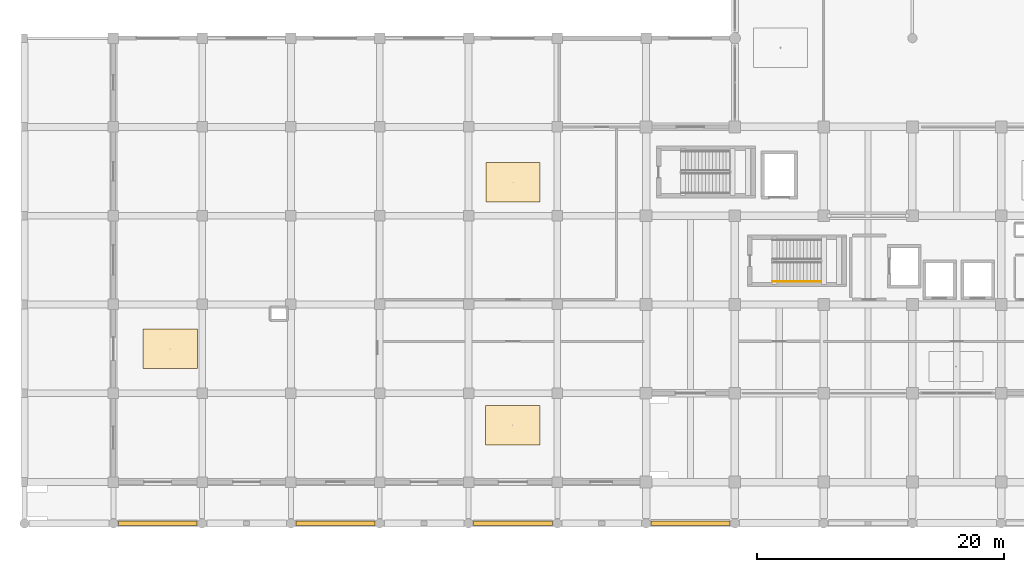
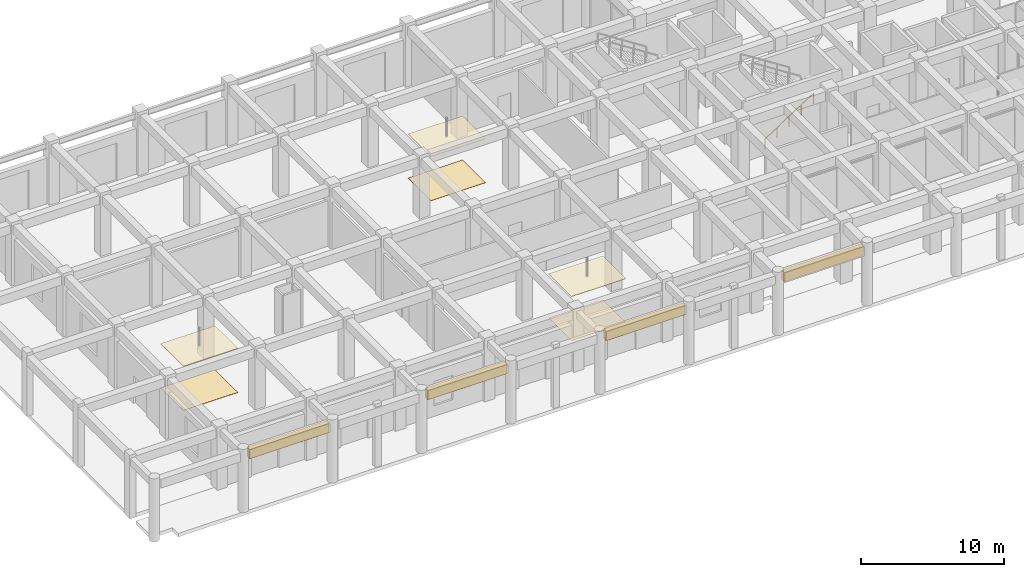
# One storey, part 48 of 56: 10 coverings, 1 railing.
"""IFC4 building model written with IfcOpenShell, lengths in metres."""

from ifc_helpers import new_model, si_unit, direction, frame, origin, origin_2d, place, context, subcontext, project, spatial, rectangle, circle, extrude, material, layer, layer_set, type_object, element, save


model = new_model("IFC4")

# Units and contexts
model_context = context("Model", 3, precision=1e-05, world=origin(), true_north=direction((0.0, 1.0)))
body_context = subcontext(model_context, "Body", "Model", "MODEL_VIEW")
ifc_project = project(units=[si_unit("LENGTHUNIT", "METRE"), si_unit("AREAUNIT", "SQUARE_METRE"), si_unit("VOLUMEUNIT", "CUBIC_METRE"), si_unit("PLANEANGLEUNIT", "RADIAN"), si_unit("MASSUNIT", "GRAM", prefix="KILO")], contexts=[model_context])

# Site, building, storey
site_placement = place(None, origin())
site = spatial("IfcSite", under=ifc_project, at=site_placement, CompositionType="ELEMENT")
building_placement = place(site_placement, origin())
building = spatial("IfcBuilding", under=site, at=building_placement, Name="Kazehaya Institute of Natural Sciences", CompositionType="ELEMENT")
storey_placement = place(building_placement, origin())
storey = spatial("IfcBuildingStorey", under=building, at=storey_placement, Name="L00", CompositionType="ELEMENT", Elevation=0.0)

# Coverings
ifc_material_1 = material(Name="Cleanroom aluminium HEPA FFU ceiling grid", Category="aluminium")
ifc_layer_1 = layer(ifc_material_1, 0.044921875, Name="Cleanroom aluminium HEPA FFU ceiling grid", Category="aluminium")
ifc_layer_set_1 = layer_set([ifc_layer_1], Name="Cleanroom aluminium HEPA FFU ceiling grid")
covering_type_1 = type_object("IfcCoveringType", Name="COV-CEIL-FFU", PredefinedType="CEILING", material=ifc_layer_set_1)
for number, where, z_axis, x_axis, name in (
    (1, (16.008544921875, 17.602294921875, 3.737548828125), (0.0, 0.0, 1.0), (1.0, 0.0, 0.0), "L00 Clean Room ISO Class Five Suite ceiling 2"),
    (2, (43.77978515625, 11.40478515625, 3.737548828125), (0.0, 0.0, 1.0), (1.0, 0.0, 0.0), "L00 Clean Room Gowning Airlock Suite ceiling 3"),
    (3, (43.80078125, 31.09619140625, 3.737548828125), (0.0, 0.0, 1.0), (1.0, 0.0, 0.0), "L00 Nanofabrication Lithography Clean Room ceiling 4"),
):
    element("IfcCovering", number, at=place(storey_placement, frame(where, z_axis=z_axis, x_axis=x_axis)), inside=storey, type_object=covering_type_1, Name=name, PredefinedType="CEILING", context=body_context, shape_type="SweptSolid", body=[
        extrude(rectangle(XDim=4.39990234375, YDim=3.199951171875, at=origin_2d()), origin(), (0.0, 0.0, 1.0), 0.044921875),
    ])
ifc_material_2 = material(Name="Sawara granite ashlar cladding", Category="masonry")
ifc_layer_2 = layer(ifc_material_2, 0.050048828125, Name="Sawara granite ashlar cladding", Category="masonry")
ifc_layer_set_2 = layer_set([ifc_layer_2], Name="Sawara granite ashlar cladding")
covering_type_2 = type_object("IfcCoveringType", Name="COV-CLAD-GRN", PredefinedType="CLADDING", material=ifc_layer_set_2)
for number, where, z_axis, x_axis, name in (
    (4, (15.0, 3.449951171875, 4.2998046875), (0.0, 0.0, 1.0), (1.0, 0.0, 0.0), "L00 rusticated Sawara granite colonnade entablature 1"),
    (5, (29.39990234375, 3.449951171875, 4.2998046875), (0.0, 0.0, 1.0), (1.0, 0.0, 0.0), "L00 rusticated Sawara granite colonnade entablature 2"),
    (6, (43.800048828125, 3.449951171875, 4.2998046875), (0.0, 0.0, 1.0), (1.0, 0.0, 0.0), "L00 rusticated Sawara granite colonnade entablature 3"),
    (7, (58.199951171875, 3.449951171875, 4.2998046875), (0.0, 0.0, 1.0), (1.0, 0.0, 0.0), "L00 rusticated Sawara granite colonnade entablature 4"),
):
    element("IfcCovering", number, at=place(storey_placement, frame(where, z_axis=z_axis, x_axis=x_axis)), inside=storey, type_object=covering_type_2, Name=name, PredefinedType="CLADDING", context=body_context, shape_type="SweptSolid", body=[
        extrude(rectangle(XDim=6.39990234375, YDim=0.360107421875, at=origin_2d()), origin(), (0.0, 0.0, 1.0), 0.800048828125),
    ])
ifc_material_3 = material(Name="Seamless chemical-resistant epoxy flooring")
ifc_layer_3 = layer(ifc_material_3, 0.014892578125, Name="Seamless chemical-resistant epoxy flooring")
ifc_layer_set_3 = layer_set([ifc_layer_3], Name="Seamless chemical-resistant epoxy flooring")
covering_type_3 = type_object("IfcCoveringType", Name="COV-FLR-EPX", PredefinedType="FLOORING", material=ifc_layer_set_3)
for number, where, z_axis, x_axis, name in (
    (8, (16.008544921875, 17.602294921875, 0.0), (0.0, 0.0, 1.0), (1.0, 0.0, 0.0), "L00 Clean Room ISO Class Five Suite finish flooring 2"),
    (9, (43.77978515625, 11.40478515625, 0.0), (0.0, 0.0, 1.0), (1.0, 0.0, 0.0), "L00 Clean Room Gowning Airlock Suite finish flooring 3"),
    (10, (43.80078125, 31.09619140625, 0.0), (0.0, 0.0, 1.0), (1.0, 0.0, 0.0), "L00 Nanofabrication Lithography Clean Room finish flooring 4"),
):
    element("IfcCovering", number, at=place(storey_placement, frame(where, z_axis=z_axis, x_axis=x_axis)), inside=storey, type_object=covering_type_3, Name=name, PredefinedType="FLOORING", context=body_context, shape_type="SweptSolid", body=[
        extrude(rectangle(XDim=4.39990234375, YDim=3.199951171875, at=origin_2d()), origin(), (0.0, 0.0, 1.0), 0.014892578125),
    ])

# Railing
ifc_material_4 = material(Name="Brushed stainless steel handrail", Category="steel")
railing_type = type_object("IfcRailingType", Name="RL-STAIR-HND", PredefinedType="HANDRAIL", material=ifc_material_4)
railing_placement = place(storey_placement, frame((64.860107421875, 23.050048828125, 0.179931640625)))
element("IfcRailing", 11, at=railing_placement, inside=storey, type_object=railing_type, Name="L00 ST-1 stair handrail 1", PredefinedType="HANDRAIL", context=body_context, shape_type="SweptSolid", body=[
    extrude(circle(Radius=0.02392578125, at=origin_2d()), frame((0.0, 0.0, 0.8759765625), z_axis=(0.841171666519, 0.0, 0.540768182723), x_axis=(0.0, 1.0, 0.0)), (0.0, 0.0, 1.0), 4.66015625),
    extrude(circle(Radius=0.02099609375, at=origin_2d()), origin(), (0.0, 0.0, 1.0), 0.851806640625),
    extrude(circle(Radius=0.02099609375, at=origin_2d()), frame((0.97998046875, 0.0, 0.6298828125)), (0.0, 0.0, 1.0), 0.851806640625),
    extrude(circle(Radius=0.02099609375, at=origin_2d()), frame((1.9599609375, 0.0, 1.260009765625)), (0.0, 0.0, 1.0), 0.851806640625),
    extrude(circle(Radius=0.02099609375, at=origin_2d()), frame((2.93994140625, 0.0, 1.89013671875)), (0.0, 0.0, 1.0), 0.851806640625),
    extrude(circle(Radius=0.02099609375, at=origin_2d()), frame((3.919921875, 0.0, 2.52001953125)), (0.0, 0.0, 1.0), 0.851806640625),
])

save(model, "model.ifc")
